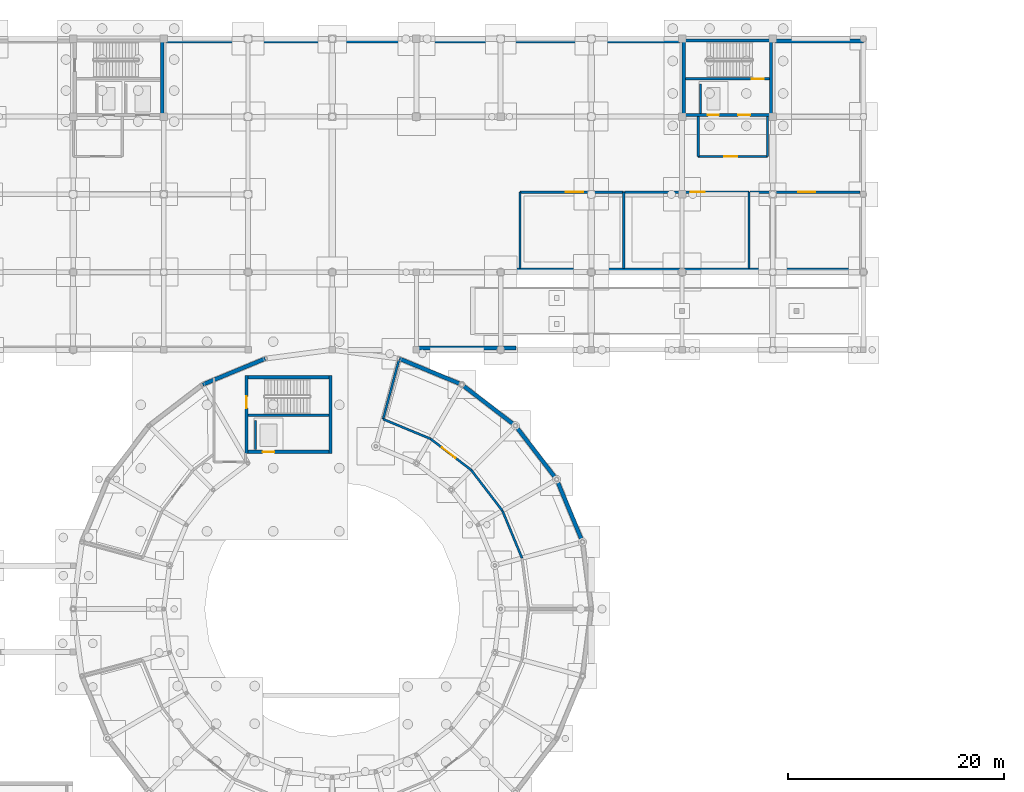
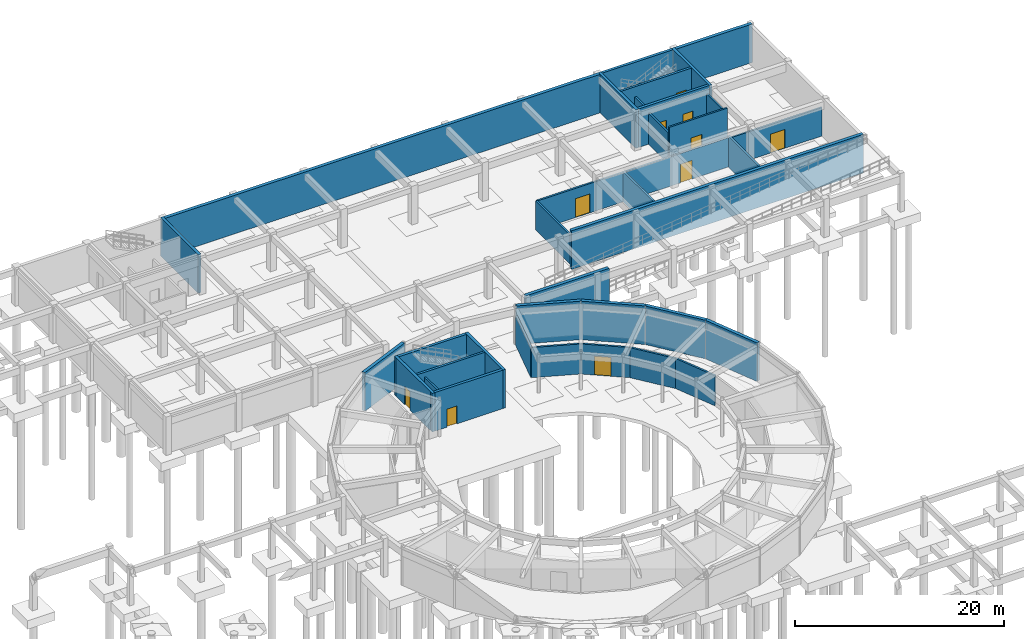
# One storey, part 32 of 43: 36 walls, 10 doors, 10 openings.
"""IFC4 building model written with IfcOpenShell, lengths in metres."""

from ifc_helpers import new_model, si_unit, derived_unit, direction, frame, frame_2d, origin, place, context, subcontext, project, spatial, rectangle, extrude, material, layer, layer_set, type_object, element, fill, save


model = new_model("IFC4")

# Units and contexts
model_context = context("Model", 3, precision=1e-05, world=origin(), true_north=direction((0.0, 1.0)))
body_context = subcontext(model_context, "Body", "Model", "MODEL_VIEW")
ifc_project = project(units=[si_unit("LENGTHUNIT", "METRE"), si_unit("AREAUNIT", "SQUARE_METRE"), si_unit("VOLUMEUNIT", "CUBIC_METRE"), si_unit("PLANEANGLEUNIT", "RADIAN"), si_unit("MASSUNIT", "GRAM", prefix="KILO"), derived_unit("THERMALTRANSMITTANCEUNIT", [(si_unit("POWERUNIT", "WATT"), 1), (si_unit("AREAUNIT", "SQUARE_METRE"), -1), (si_unit("THERMODYNAMICTEMPERATUREUNIT", "KELVIN"), -1)])], contexts=[model_context])

# Site, building, storey
site_placement = place(None, origin())
site = spatial("IfcSite", under=ifc_project, at=site_placement, CompositionType="ELEMENT")
building_placement = place(site_placement, origin())
building = spatial("IfcBuilding", under=site, at=building_placement, Name="Yasenodar Specialist Clinic", CompositionType="ELEMENT")
storey_placement = place(building_placement, frame((0.0, 0.0, -4.5)))
storey = spatial("IfcBuildingStorey", under=building, at=storey_placement, Name="B1", CompositionType="ELEMENT", Elevation=-4.5)

# Wall, opening, door
ifc_material_1 = material(Name="Fire-Rated Gypsum and Mineral-Wool Wall")
ifc_layer_1 = layer(ifc_material_1, 0.195068359375)
ifc_layer_set_1 = layer_set([ifc_layer_1], Name="Fire-Rated Gypsum and Mineral-Wool Wall")
wall_type_1 = type_object("IfcWallType", Name="IW-LOBBY-195", PredefinedType="PARTITIONING", material=ifc_layer_set_1)
wall_1_placement = place(storey_placement, frame((114.89990234375, 100.699951171875, 0.0), z_axis=(0.0, 0.0, 1.0), x_axis=(1.0, 0.0, 0.0)))
wall_1 = element("IfcWall", 1, at=wall_1_placement, inside=storey, type_object=wall_type_1, Name="B1 C5 Firefighting Lobby South Wall", PredefinedType="PARTITIONING", context=body_context, shape_type="SweptSolid", body=[
    extrude(rectangle(XDim=6.400146484375, YDim=0.195068359375, at=frame_2d((3.2001953125, 0.0))), origin(), (0.0, 0.0, 1.0), 4.22998046875),
])
opening_1_placement = place(wall_1_placement, frame((2.39990234375, 0.0, 0.0)))
opening_1 = element("IfcOpeningElement", 2, at=opening_1_placement, cuts=wall_1, Name="Opening FD-02", PredefinedType="OPENING", context=body_context, shape_type="SweptSolid", body=[
    extrude(rectangle(XDim=1.199951171875, YDim=2.14990234375, at=frame_2d((0.60009765625, 1.074951171875))), frame((0.0, 0.107421875, 0.0), z_axis=(0.0, -1.0, 0.0), x_axis=(1.0, 0.0, 0.0)), (0.0, 0.0, 1.0), 0.215087890625),
])
ifc_material_2 = material(Name="Fire-Rated Insulated Steel Door", Category="steel")
door_type_1 = type_object("IfcDoorType", Name="DR-FD-120", OperationType="NOTDEFINED", PredefinedType="DOOR", material=ifc_material_2)
door_1_placement = place(opening_1_placement, origin())
door_1 = element("IfcDoor", 3, at=door_1_placement, inside=storey, type_object=door_type_1, Name="B1 C5 Firefighting Lobby Door", OperationType="SINGLE_SWING_LEFT", OverallHeight=2.14990234375, OverallWidth=1.199951171875, PredefinedType="DOOR", context=body_context, shape_type="SweptSolid", body=[
    extrude(rectangle(XDim=1.199951171875, YDim=2.14990234375, at=frame_2d((0.60009765625, 1.074951171875))), frame((0.0, 0.02490234375, 0.0), z_axis=(0.0, -1.0, 0.0), x_axis=(1.0, 0.0, 0.0)), (0.0, 0.0, 1.0), 0.050048828125),
])
fill(opening_1, door_1)

# Walls
for number, where, z_axis, x_axis, name in (
    (4, (121.300048828125, 100.699951171875, 0.0), (0.0, 0.0, 1.0), (0.0, 1.0, 0.0), "B1 C5 Firefighting Lobby East Wall"),
    (5, (114.89990234375, 100.699951171875, 0.0), (0.0, 0.0, 1.0), (0.0, 1.0, 0.0), "B1 C5 Firefighting Lobby West Wall"),
):
    element("IfcWall", number, at=place(storey_placement, frame(where, z_axis=z_axis, x_axis=x_axis)), inside=storey, type_object=wall_type_1, Name=name, PredefinedType="PARTITIONING", context=body_context, shape_type="SweptSolid", body=[
        extrude(rectangle(XDim=3.699951171875, YDim=0.195068359375, at=frame_2d((1.85009765625, 0.0))), origin(), (0.0, 0.0, 1.0), 3.613037109375),
    ])
ifc_material_3 = material(Name="Aerated Concrete Blockwork Fire Shaft Wall", Category="masonry")
ifc_layer_2 = layer(ifc_material_3, 0.205078125)
ifc_layer_set_2 = layer_set([ifc_layer_2], Name="Aerated Concrete Blockwork Fire Shaft Wall")
wall_type_2 = type_object("IfcWallType", Name="IW-SHAFT-205", PredefinedType="PARTITIONING", material=ifc_layer_set_2)
wall_2_placement = place(storey_placement, frame((73.89990234375, 73.550048828125, 0.0), z_axis=(0.0, 0.0, 1.0), x_axis=(0.0, 1.0, 0.0)))
element("IfcWall", 6, at=wall_2_placement, inside=storey, type_object=wall_type_2, Name="B1 LF-06 Lift Shaft Side Wall", PredefinedType="PARTITIONING", context=body_context, shape_type="SweptSolid", body=[
    extrude(rectangle(XDim=2.699951171875, YDim=0.205078125, at=frame_2d((1.35009765625, 0.0))), origin(), (0.0, 0.0, 1.0), 4.22998046875),
])
wall_3_placement = place(storey_placement, frame((115.10009765625, 104.699951171875, 0.0), z_axis=(0.0, 0.0, 1.0), x_axis=(0.0, 1.0, 0.0)))
element("IfcWall", 7, at=wall_3_placement, inside=storey, type_object=wall_type_2, Name="B1 LF-08 Lift Shaft Side Wall", PredefinedType="PARTITIONING", context=body_context, shape_type="SweptSolid", body=[
    extrude(rectangle(XDim=2.699951171875, YDim=0.205078125, at=frame_2d((1.35009765625, 0.0))), origin(), (0.0, 0.0, 1.0), 3.613037109375),
])

# Wall, opening, door
wall_4_placement = place(storey_placement, frame((98.39990234375, 97.39990234375, 0.0), z_axis=(0.0, 0.0, 1.0), x_axis=(1.0, 0.0, 0.0)))
wall_4 = element("IfcWall", 8, at=wall_4_placement, inside=storey, type_object=wall_type_2, Name="B1 Standby Power Room Partition", PredefinedType="PARTITIONING", context=body_context, shape_type="SweptSolid", body=[
    extrude(rectangle(XDim=9.60009765625, YDim=0.205078125, at=frame_2d((4.800048828125, 0.0))), origin(), (0.0, 0.0, 1.0), 3.4130859375),
])
opening_2_placement = place(wall_4_placement, frame((4.25, 0.0, 0.0)))
opening_2 = element("IfcOpeningElement", 9, at=opening_2_placement, cuts=wall_4, Name="Opening FD-04", PredefinedType="OPENING", context=body_context, shape_type="SweptSolid", body=[
    extrude(rectangle(XDim=1.60009765625, YDim=2.199951171875, at=frame_2d((0.800048828125, 1.10009765625))), frame((0.0, 0.112548828125, 0.0), z_axis=(0.0, -1.0, 0.0), x_axis=(1.0, 0.0, 0.0)), (0.0, 0.0, 1.0), 0.22509765625),
])
door_type_2 = type_object("IfcDoorType", Name="DR-FD-160", OperationType="DOUBLE_DOOR_SINGLE_SWING", PredefinedType="DOOR", material=ifc_material_2)
door_2_placement = place(opening_2_placement, origin())
door_2 = element("IfcDoor", 10, at=door_2_placement, inside=storey, type_object=door_type_2, Name="B1 Standby Power Room Door", OperationType="DOUBLE_DOOR_SINGLE_SWING", OverallHeight=2.199951171875, OverallWidth=1.60009765625, PredefinedType="DOOR", context=body_context, shape_type="SweptSolid", body=[
    extrude(rectangle(XDim=1.60009765625, YDim=2.199951171875, at=frame_2d((0.800048828125, 1.10009765625))), frame((0.0, 0.02490234375, 0.0), z_axis=(0.0, -1.0, 0.0), x_axis=(1.0, 0.0, 0.0)), (0.0, 0.0, 1.0), 0.050048828125),
])
fill(opening_2, door_2)

# Walls
wall_5_placement = place(storey_placement, frame((108.0, 97.39990234375, 0.0), z_axis=(0.0, 0.0, 1.0), x_axis=(0.0, -1.0, 0.0)))
element("IfcWall", 11, at=wall_5_placement, inside=storey, type_object=wall_type_2, Name="B1 Standby Power Room Partition", PredefinedType="PARTITIONING", context=body_context, shape_type="SweptSolid", body=[
    extrude(rectangle(XDim=7.059814453125, YDim=0.205078125, at=frame_2d((3.52978515625, 0.0))), origin(), (0.0, 0.0, 1.0), 3.512939453125),
])
wall_6_placement = place(storey_placement, frame((98.39990234375, 90.340087890625, 0.0), z_axis=(0.0, 0.0, 1.0), x_axis=(0.0, 1.0, 0.0)))
element("IfcWall", 12, at=wall_6_placement, inside=storey, type_object=wall_type_2, Name="B1 Standby Power Room Partition", PredefinedType="PARTITIONING", context=body_context, shape_type="SweptSolid", body=[
    extrude(rectangle(XDim=7.059814453125, YDim=0.205078125, at=frame_2d((3.52978515625, 0.0))), origin(), (0.0, 0.0, 1.0), 3.4130859375),
])

# Wall, opening, door
wall_7_placement = place(storey_placement, frame((108.08251953125, 97.39990234375, 0.0), z_axis=(0.0, 0.0, 1.0), x_axis=(1.0, 0.0, 0.0)))
wall_7 = element("IfcWall", 13, at=wall_7_placement, inside=storey, type_object=wall_type_2, Name="B1 Primary Electrical Switchgear Room Partition", PredefinedType="PARTITIONING", context=body_context, shape_type="SweptSolid", body=[
    extrude(rectangle(XDim=11.517578125, YDim=0.205078125, at=frame_2d((5.7587890625, 0.0))), origin(), (0.0, 0.0, 1.0), 3.4130859375),
])
opening_3_placement = place(wall_7_placement, frame((6.117431640625, 0.0, 0.0)))
opening_3 = element("IfcOpeningElement", 14, at=opening_3_placement, cuts=wall_7, Name="Opening FD-03", PredefinedType="OPENING", context=body_context, shape_type="SweptSolid", body=[
    extrude(rectangle(XDim=1.320068359375, YDim=2.179931640625, at=frame_2d((0.66015625, 1.08984375))), frame((0.0, 0.112548828125, 0.0), z_axis=(0.0, -1.0, 0.0), x_axis=(1.0, 0.0, 0.0)), (0.0, 0.0, 1.0), 0.22509765625),
])
door_type_3 = type_object("IfcDoorType", Name="DR-FD-132", OperationType="NOTDEFINED", PredefinedType="DOOR", material=ifc_material_2)
door_3_placement = place(opening_3_placement, origin())
door_3 = element("IfcDoor", 15, at=door_3_placement, inside=storey, type_object=door_type_3, Name="B1 Primary Electrical Switchgear Room Door", OperationType="SINGLE_SWING_LEFT", OverallHeight=2.179931640625, OverallWidth=1.320068359375, PredefinedType="DOOR", context=body_context, shape_type="SweptSolid", body=[
    extrude(rectangle(XDim=1.320068359375, YDim=2.179931640625, at=frame_2d((0.66015625, 1.08984375))), frame((0.0, 0.02490234375, 0.0), z_axis=(0.0, -1.0, 0.0), x_axis=(1.0, 0.0, 0.0)), (0.0, 0.0, 1.0), 0.050048828125),
])
fill(opening_3, door_3)

# Wall
wall_8_placement = place(storey_placement, frame((119.60009765625, 97.39990234375, 0.0), z_axis=(0.0, 0.0, 1.0), x_axis=(0.0, -1.0, 0.0)))
element("IfcWall", 16, at=wall_8_placement, inside=storey, type_object=wall_type_2, Name="B1 Primary Electrical Switchgear Room Partition", PredefinedType="PARTITIONING", context=body_context, shape_type="SweptSolid", body=[
    extrude(rectangle(XDim=7.059814453125, YDim=0.205078125, at=frame_2d((3.52978515625, 0.0))), origin(), (0.0, 0.0, 1.0), 3.613037109375),
])

# Wall, opening, door
wall_9_placement = place(storey_placement, frame((119.6826171875, 97.39990234375, 0.0), z_axis=(0.0, 0.0, 1.0), x_axis=(1.0, 0.0, 0.0)))
wall_9 = element("IfcWall", 17, at=wall_9_placement, inside=storey, type_object=wall_type_2, Name="B1 Water Mist and Sprinkler Pump Room Partition", PredefinedType="PARTITIONING", context=body_context, shape_type="SweptSolid", body=[
    extrude(rectangle(XDim=10.177490234375, YDim=0.205078125, at=frame_2d((5.0888671875, 0.0))), origin(), (0.0, 0.0, 1.0), 3.31298828125),
])
opening_4_placement = place(wall_9_placement, frame((4.467529296875, 0.0, 0.0)))
opening_4 = element("IfcOpeningElement", 18, at=opening_4_placement, cuts=wall_9, Name="Opening FD-04", PredefinedType="OPENING", context=body_context, shape_type="SweptSolid", body=[
    extrude(rectangle(XDim=1.60009765625, YDim=2.199951171875, at=frame_2d((0.800048828125, 1.10009765625))), frame((0.0, 0.112548828125, 0.0), z_axis=(0.0, -1.0, 0.0), x_axis=(1.0, 0.0, 0.0)), (0.0, 0.0, 1.0), 0.22509765625),
])
door_4_placement = place(opening_4_placement, origin())
door_4 = element("IfcDoor", 19, at=door_4_placement, inside=storey, type_object=door_type_2, Name="B1 Water Mist and Sprinkler Pump Room Door", OperationType="DOUBLE_DOOR_SINGLE_SWING", OverallHeight=2.199951171875, OverallWidth=1.60009765625, PredefinedType="DOOR", context=body_context, shape_type="SweptSolid", body=[
    extrude(rectangle(XDim=1.60009765625, YDim=2.199951171875, at=frame_2d((0.800048828125, 1.10009765625))), frame((0.0, 0.02490234375, 0.0), z_axis=(0.0, -1.0, 0.0), x_axis=(1.0, 0.0, 0.0)), (0.0, 0.0, 1.0), 0.050048828125),
])
fill(opening_4, door_4)

wall_10_placement = place(storey_placement, frame((93.869384765625, 71.669189453125, 0.0), z_axis=(0.0, 0.0, 1.0), x_axis=(-0.793322600477, 0.60880148782, 0.0)))
wall_10 = element("IfcWall", 20, at=wall_10_placement, inside=storey, type_object=wall_type_2, Name="B1 Central Sterile Supply Decontamination Partition", PredefinedType="PARTITIONING", context=body_context, shape_type="SweptSolid", body=[
    extrude(rectangle(XDim=4.751220703125, YDim=0.205078125, at=frame_2d((2.37548828125, 0.0))), origin(), (0.0, 0.0, 1.0), 3.512939453125),
])
opening_5_placement = place(wall_10_placement, frame((1.82568359375, 0.0, 0.0)))
opening_5 = element("IfcOpeningElement", 21, at=opening_5_placement, cuts=wall_10, Name="Opening FD-04", PredefinedType="OPENING", context=body_context, shape_type="SweptSolid", body=[
    extrude(rectangle(XDim=1.60009765625, YDim=2.199951171875, at=frame_2d((0.800048828125, 1.10009765625))), frame((0.0, 0.112548828125, 0.0), z_axis=(0.0, -1.0, 0.0), x_axis=(1.0, 0.0, 0.0)), (0.0, 0.0, 1.0), 0.22509765625),
])
door_5_placement = place(opening_5_placement, origin())
door_5 = element("IfcDoor", 22, at=door_5_placement, inside=storey, type_object=door_type_2, Name="B1 Central Sterile Supply Decontamination Door", OperationType="DOUBLE_DOOR_SINGLE_SWING", OverallHeight=2.199951171875, OverallWidth=1.60009765625, PredefinedType="DOOR", context=body_context, shape_type="SweptSolid", body=[
    extrude(rectangle(XDim=1.60009765625, YDim=2.199951171875, at=frame_2d((0.800048828125, 1.10009765625))), frame((0.0, 0.02490234375, 0.0), z_axis=(0.0, -1.0, 0.0), x_axis=(1.0, 0.0, 0.0)), (0.0, 0.0, 1.0), 0.050048828125),
])
fill(opening_5, door_5)

# Walls
for number, where, z_axis, x_axis, name in (
    (23, (96.76171875, 67.89990234375, 0.0), (0.0, 0.0, 1.0), (-0.608769147025, 0.793347417989, 0.0), "B1 Central Sterile Supply Decontamination Partition"),
    (24, (90.10009765625, 74.561767578125, 0.0), (0.0, 0.0, 1.0), (-0.923889703059, 0.382658877568, 0.0), "B1 Central Sterile Supply Decontamination Partition"),
):
    element("IfcWall", number, at=place(storey_placement, frame(where, z_axis=z_axis, x_axis=x_axis)), inside=storey, type_object=wall_type_2, Name=name, PredefinedType="PARTITIONING", context=body_context, shape_type="SweptSolid", body=[
        extrude(rectangle(XDim=4.751220703125, YDim=0.205078125, at=frame_2d((2.37548828125, 0.0))), origin(), (0.0, 0.0, 1.0), 3.512939453125),
    ])
wall_11_placement = place(storey_placement, frame((98.579833984375, 63.510498046875, 0.0), z_axis=(0.0, 0.0, 1.0), x_axis=(-0.382677044484, 0.923882178432, 0.0)))
element("IfcWall", 25, at=wall_11_placement, inside=storey, type_object=wall_type_2, Name="B1 Central Sterile Supply Decontamination Partition", PredefinedType="PARTITIONING", context=body_context, shape_type="SweptSolid", body=[
    extrude(rectangle(XDim=4.7509765625, YDim=0.205078125, at=frame_2d((2.37548828125, 0.0))), origin(), (0.0, 0.0, 1.0), 3.512939453125),
])
wall_12_placement = place(storey_placement, frame((85.71044921875, 76.3798828125, 0.0), z_axis=(0.0, 0.0, 1.0), x_axis=(0.258842856658, 0.965919445688, 0.0)))
element("IfcWall", 26, at=wall_12_placement, inside=storey, type_object=wall_type_2, Name="B1 Central Sterile Supply Decontamination Partition", PredefinedType="PARTITIONING", context=body_context, shape_type="SweptSolid", body=[
    extrude(rectangle(XDim=5.638427734375, YDim=0.205078125, at=frame_2d((2.8193359375, 0.0))), origin(), (0.0, 0.0, 1.0), 3.4130859375),
])
ifc_material_4 = material(Name="Concrete C35/45", Category="concrete")
ifc_layer_3 = layer(ifc_material_4, 0.25)
ifc_layer_set_3 = layer_set([ifc_layer_3], Name="Concrete C35/45")
wall_type_3 = type_object("IfcWallType", Name="WL-CORE-250", PredefinedType="SHEAR", material=ifc_layer_set_3)
wall_13_placement = place(storey_placement, frame((73.199951171875, 76.75, 0.0), z_axis=(0.0, 0.0, 1.0), x_axis=(1.0, 0.0, 0.0)))
element("IfcWall", 27, at=wall_13_placement, inside=storey, type_object=wall_type_3, Name="B1 Core C3 Central Spine Wall", PredefinedType="SHEAR", context=body_context, shape_type="SweptSolid", body=[
    extrude(rectangle(XDim=7.5, YDim=0.25, at=frame_2d((3.75, 0.0))), origin(), (0.0, 0.0, 1.0), 4.5),
])

# Wall, opening, door
wall_14_placement = place(storey_placement, frame((113.699951171875, 107.89990234375, 0.0), z_axis=(0.0, 0.0, 1.0), x_axis=(1.0, 0.0, 0.0)))
wall_14 = element("IfcWall", 28, at=wall_14_placement, inside=storey, type_object=wall_type_3, Name="B1 Core C5 Central Spine Wall", PredefinedType="SHEAR", context=body_context, shape_type="SweptSolid", body=[
    extrude(rectangle(XDim=7.800048828125, YDim=0.25, at=frame_2d((3.89990234375, 0.0))), origin(), (0.0, 0.0, 1.0), 4.5),
])
opening_6_placement = place(wall_14_placement, frame((6.14990234375, 0.0, 0.0)))
opening_6 = element("IfcOpeningElement", 29, at=opening_6_placement, cuts=wall_14, Name="Opening FD-01", PredefinedType="OPENING", context=body_context, shape_type="SweptSolid", body=[
    extrude(rectangle(XDim=1.10009765625, YDim=2.14990234375, at=frame_2d((0.550048828125, 1.074951171875))), frame((0.0, 0.135009765625, 0.0), z_axis=(0.0, -1.0, 0.0), x_axis=(1.0, 0.0, 0.0)), (0.0, 0.0, 1.0), 0.27001953125),
])
door_type_4 = type_object("IfcDoorType", Name="DR-FD-110", OperationType="NOTDEFINED", PredefinedType="DOOR", material=ifc_material_2)
door_6_placement = place(opening_6_placement, origin())
door_6 = element("IfcDoor", 30, at=door_6_placement, inside=storey, type_object=door_type_4, Name="B1 ST-05 Protected Stair Door", OperationType="SINGLE_SWING_LEFT", OverallHeight=2.14990234375, OverallWidth=1.10009765625, PredefinedType="DOOR", context=body_context, shape_type="SweptSolid", body=[
    extrude(rectangle(XDim=1.10009765625, YDim=2.14990234375, at=frame_2d((0.550048828125, 1.074951171875))), frame((0.0, 0.02490234375, 0.0), z_axis=(0.0, -1.0, 0.0), x_axis=(1.0, 0.0, 0.0)), (0.0, 0.0, 1.0), 0.050048828125),
])
fill(opening_6, door_6)

# Wall
ifc_layer_4 = layer(ifc_material_4, 0.300048828125)
ifc_layer_set_4 = layer_set([ifc_layer_4], Name="Concrete C35/45")
wall_type_4 = type_object("IfcWallType", Name="WL-CORE-300", PredefinedType="SHEAR", material=ifc_layer_set_4)
wall_15_placement = place(storey_placement, frame((72.89990234375, 80.25, 0.0), z_axis=(0.0, 0.0, 1.0), x_axis=(1.0, 0.0, 0.0)))
element("IfcWall", 31, at=wall_15_placement, inside=storey, type_object=wall_type_4, Name="B1 Core C3 North Shear Wall", PredefinedType="SHEAR", context=body_context, shape_type="SweptSolid", body=[
    extrude(rectangle(XDim=8.10009765625, YDim=0.300048828125, at=frame_2d((4.050048828125, 0.0))), origin(), (0.0, 0.0, 1.0), 4.5),
])

# Wall, opening, door
wall_16_placement = place(storey_placement, frame((72.89990234375, 73.35009765625, 0.0), z_axis=(0.0, 0.0, 1.0), x_axis=(1.0, 0.0, 0.0)))
wall_16 = element("IfcWall", 32, at=wall_16_placement, inside=storey, type_object=wall_type_4, Name="B1 Core C3 South Shear Wall", PredefinedType="SHEAR", context=body_context, shape_type="SweptSolid", body=[
    extrude(rectangle(XDim=8.10009765625, YDim=0.300048828125, at=frame_2d((4.050048828125, 0.0))), origin(), (0.0, 0.0, 1.0), 4.5),
])
opening_7_placement = place(wall_16_placement, frame((1.64990234375, 0.0, 0.0)))
opening_7 = element("IfcOpeningElement", 33, at=opening_7_placement, cuts=wall_16, Name="Opening LD-03", PredefinedType="OPENING", context=body_context, shape_type="SweptSolid", body=[
    extrude(rectangle(XDim=1.10009765625, YDim=2.10009765625, at=frame_2d((0.550048828125, 1.050048828125))), frame((0.0, 0.16015625, 0.0), z_axis=(0.0, -1.0, 0.0), x_axis=(1.0, 0.0, 0.0)), (0.0, 0.0, 1.0), 0.320068359375),
])
door_type_5 = type_object("IfcDoorType", Name="DR-LD-110", OperationType="DOUBLE_DOOR_SLIDING", PredefinedType="DOOR", material=ifc_material_2)
door_7_placement = place(opening_7_placement, origin())
door_7 = element("IfcDoor", 34, at=door_7_placement, inside=storey, type_object=door_type_5, Name="B1 LF-06 Lift Landing Door", OperationType="DOUBLE_DOOR_SLIDING", OverallHeight=2.10009765625, OverallWidth=1.10009765625, PredefinedType="DOOR", context=body_context, shape_type="SweptSolid", body=[
    extrude(rectangle(XDim=1.10009765625, YDim=2.10009765625, at=frame_2d((0.550048828125, 1.050048828125))), frame((0.0, 0.02490234375, 0.0), z_axis=(0.0, -1.0, 0.0), x_axis=(1.0, 0.0, 0.0)), (0.0, 0.0, 1.0), 0.050048828125),
])
fill(opening_7, door_7)

wall_17_placement = place(storey_placement, frame((73.050048828125, 73.199951171875, 0.0), z_axis=(0.0, 0.0, 1.0), x_axis=(0.0, 1.0, 0.0)))
wall_17 = element("IfcWall", 35, at=wall_17_placement, inside=storey, type_object=wall_type_4, Name="B1 Core C3 West Shear Wall", PredefinedType="SHEAR", context=body_context, shape_type="SweptSolid", body=[
    extrude(rectangle(XDim=7.199951171875, YDim=0.300048828125, at=frame_2d((3.60009765625, 0.0))), origin(), (0.0, 0.0, 1.0), 4.5),
])
opening_8_placement = place(wall_17_placement, frame((4.199951171875, 0.0, 0.0)))
opening_8 = element("IfcOpeningElement", 36, at=opening_8_placement, cuts=wall_17, Name="Opening FD-01", PredefinedType="OPENING", context=body_context, shape_type="SweptSolid", body=[
    extrude(rectangle(XDim=1.10009765625, YDim=2.14990234375, at=frame_2d((0.550048828125, 1.074951171875))), frame((0.0, 0.16015625, 0.0), z_axis=(0.0, -1.0, 0.0), x_axis=(1.0, 0.0, 0.0)), (0.0, 0.0, 1.0), 0.320068359375),
])
door_8_placement = place(opening_8_placement, origin())
door_8 = element("IfcDoor", 37, at=door_8_placement, inside=storey, type_object=door_type_4, Name="B1 ST-03 Protected Stair Door", OperationType="SINGLE_SWING_RIGHT", OverallHeight=2.14990234375, OverallWidth=1.10009765625, PredefinedType="DOOR", context=body_context, shape_type="SweptSolid", body=[
    extrude(rectangle(XDim=1.10009765625, YDim=2.14990234375, at=frame_2d((0.550048828125, 1.074951171875))), frame((0.0, 0.02490234375, 0.0), z_axis=(0.0, -1.0, 0.0), x_axis=(1.0, 0.0, 0.0)), (0.0, 0.0, 1.0), 0.050048828125),
])
fill(opening_8, door_8)

# Walls
wall_18_placement = place(storey_placement, frame((80.85009765625, 73.199951171875, 0.0), z_axis=(0.0, 0.0, 1.0), x_axis=(0.0, 1.0, 0.0)))
element("IfcWall", 38, at=wall_18_placement, inside=storey, type_object=wall_type_4, Name="B1 Core C3 East Shear Wall", PredefinedType="SHEAR", context=body_context, shape_type="SweptSolid", body=[
    extrude(rectangle(XDim=7.199951171875, YDim=0.300048828125, at=frame_2d((3.60009765625, 0.0))), origin(), (0.0, 0.0, 1.0), 4.5),
])
wall_19_placement = place(storey_placement, frame((65.25, 104.39990234375, 0.0), z_axis=(0.0, 0.0, 1.0), x_axis=(0.0, 1.0, 0.0)))
element("IfcWall", 39, at=wall_19_placement, inside=storey, type_object=wall_type_4, Name="B1 Core C4 East Shear Wall", PredefinedType="SHEAR", context=body_context, shape_type="SweptSolid", body=[
    extrude(rectangle(XDim=7.2001953125, YDim=0.300048828125, at=frame_2d((3.60009765625, 0.0))), origin(), (0.0, 0.0, 1.0), 4.5),
])
wall_20_placement = place(storey_placement, frame((113.39990234375, 111.449951171875, 0.0), z_axis=(0.0, 0.0, 1.0), x_axis=(1.0, 0.0, 0.0)))
element("IfcWall", 40, at=wall_20_placement, inside=storey, type_object=wall_type_4, Name="B1 Core C5 North Shear Wall", PredefinedType="SHEAR", context=body_context, shape_type="SweptSolid", body=[
    extrude(rectangle(XDim=8.400146484375, YDim=0.300048828125, at=frame_2d((4.2001953125, 0.0))), origin(), (0.0, 0.0, 1.0), 4.5),
])

# Wall, openings, doors
wall_21_placement = place(storey_placement, frame((113.39990234375, 104.550048828125, 0.0), z_axis=(0.0, 0.0, 1.0), x_axis=(1.0, 0.0, 0.0)))
wall_21 = element("IfcWall", 41, at=wall_21_placement, inside=storey, type_object=wall_type_4, Name="B1 Core C5 South Shear Wall", PredefinedType="SHEAR", context=body_context, shape_type="SweptSolid", body=[
    extrude(rectangle(XDim=8.400146484375, YDim=0.300048828125, at=frame_2d((4.2001953125, 0.0))), origin(), (0.0, 0.0, 1.0), 4.5),
])
opening_9_placement = place(wall_21_placement, frame((5.199951171875, 0.0, 0.0)))
opening_9 = element("IfcOpeningElement", 42, at=opening_9_placement, cuts=wall_21, Name="Opening FD-01", PredefinedType="OPENING", context=body_context, shape_type="SweptSolid", body=[
    extrude(rectangle(XDim=1.10009765625, YDim=2.14990234375, at=frame_2d((0.550048828125, 1.074951171875))), frame((0.0, 0.16015625, 0.0), z_axis=(0.0, -1.0, 0.0), x_axis=(1.0, 0.0, 0.0)), (0.0, 0.0, 1.0), 0.320068359375),
])
opening_10_placement = place(wall_21_placement, frame((2.39990234375, 0.0, 0.0)))
opening_10 = element("IfcOpeningElement", 43, at=opening_10_placement, cuts=wall_21, Name="Opening LD-01", PredefinedType="OPENING", context=body_context, shape_type="SweptSolid", body=[
    extrude(rectangle(XDim=1.0, YDim=2.10009765625, at=frame_2d((0.5, 1.050048828125))), frame((0.0, 0.16015625, 0.0), z_axis=(0.0, -1.0, 0.0), x_axis=(1.0, 0.0, 0.0)), (0.0, 0.0, 1.0), 0.320068359375),
])
door_9_placement = place(opening_9_placement, origin())
door_9 = element("IfcDoor", 44, at=door_9_placement, inside=storey, type_object=door_type_4, Name="B1 Stair ST-05 Vestibule Door", OperationType="SINGLE_SWING_RIGHT", OverallHeight=2.14990234375, OverallWidth=1.10009765625, PredefinedType="DOOR", context=body_context, shape_type="SweptSolid", body=[
    extrude(rectangle(XDim=1.10009765625, YDim=2.14990234375, at=frame_2d((0.550048828125, 1.074951171875))), frame((0.0, 0.02490234375, 0.0), z_axis=(0.0, -1.0, 0.0), x_axis=(1.0, 0.0, 0.0)), (0.0, 0.0, 1.0), 0.050048828125),
])
fill(opening_9, door_9)
door_type_6 = type_object("IfcDoorType", Name="DR-LD-100", OperationType="DOUBLE_DOOR_SLIDING", PredefinedType="DOOR", material=ifc_material_2)
door_10_placement = place(opening_10_placement, origin())
door_10 = element("IfcDoor", 45, at=door_10_placement, inside=storey, type_object=door_type_6, Name="B1 LF-08 Lift Landing Door", OperationType="DOUBLE_DOOR_SLIDING", OverallHeight=2.10009765625, OverallWidth=1.0, PredefinedType="DOOR", context=body_context, shape_type="SweptSolid", body=[
    extrude(rectangle(XDim=1.0, YDim=2.10009765625, at=frame_2d((0.5, 1.050048828125))), frame((0.0, 0.02490234375, 0.0), z_axis=(0.0, -1.0, 0.0), x_axis=(1.0, 0.0, 0.0)), (0.0, 0.0, 1.0), 0.050048828125),
])
fill(opening_10, door_10)

# Walls
for number, where, z_axis, x_axis, name in (
    (46, (113.550048828125, 104.39990234375, 0.0), (0.0, 0.0, 1.0), (0.0, 1.0, 0.0), "B1 Core C5 West Shear Wall"),
    (47, (121.64990234375, 111.60009765625, 0.0), (0.0, 0.0, 1.0), (0.0, -1.0, 0.0), "B1 Core C5 East Shear Wall"),
):
    element("IfcWall", number, at=place(storey_placement, frame(where, z_axis=z_axis, x_axis=x_axis)), inside=storey, type_object=wall_type_4, Name=name, PredefinedType="SHEAR", context=body_context, shape_type="SweptSolid", body=[
        extrude(rectangle(XDim=7.2001953125, YDim=0.300048828125, at=frame_2d((3.60009765625, 0.0))), origin(), (0.0, 0.0, 1.0), 4.5),
    ])
ifc_layer_5 = layer(ifc_material_4, 0.360107421875)
ifc_layer_set_5 = layer_set([ifc_layer_5], Name="Concrete C35/45")
wall_type_5 = type_object("IfcWallType", Name="WL-RET-360", PredefinedType="USERDEFINED", material=ifc_layer_set_5)
wall_22_placement = place(storey_placement, frame((88.800048828125, 82.97998046875, 0.0), z_axis=(0.0, 0.0, 1.0), x_axis=(1.0, 0.0, 0.0)))
element("IfcWall", 48, at=wall_22_placement, inside=storey, type_object=wall_type_5, Name="B1 Retaining Wall 10", ObjectType="RETAININGWALL", PredefinedType="USERDEFINED", context=body_context, shape_type="SweptSolid", body=[
    extrude(rectangle(XDim=9.199951171875, YDim=0.360107421875, at=frame_2d((4.60009765625, 0.0))), origin(), (0.0, 0.0, 1.0), 4.5),
])
wall_23_placement = place(storey_placement, frame((98.0, 90.179931640625, 0.0), z_axis=(0.0, 0.0, 1.0), x_axis=(1.0, 0.0, 0.0)))
element("IfcWall", 49, at=wall_23_placement, inside=storey, type_object=wall_type_5, Name="B1 Retaining Wall 11", ObjectType="RETAININGWALL", PredefinedType="USERDEFINED", context=body_context, shape_type="SweptSolid", body=[
    extrude(rectangle(XDim=32.199951171875, YDim=0.360107421875, at=frame_2d((16.10009765625, 0.0))), origin(), (0.0, 0.0, 1.0), 4.5),
])
wall_24_placement = place(storey_placement, frame((65.39990234375, 111.419921875, 0.0), z_axis=(0.0, 0.0, 1.0), x_axis=(1.0, 0.0, 0.0)))
element("IfcWall", 50, at=wall_24_placement, inside=storey, type_object=wall_type_5, Name="B1 Retaining Wall 14", ObjectType="RETAININGWALL", PredefinedType="USERDEFINED", context=body_context, shape_type="SweptSolid", body=[
    extrude(rectangle(XDim=48.0, YDim=0.360107421875, at=frame_2d((24.0, 0.0))), origin(), (0.0, 0.0, 1.0), 4.5),
])
wall_25_placement = place(storey_placement, frame((121.800048828125, 111.419921875, 0.0), z_axis=(0.0, 0.0, 1.0), x_axis=(1.0, 0.0, 0.0)))
element("IfcWall", 51, at=wall_25_placement, inside=storey, type_object=wall_type_5, Name="B1 Retaining Wall 15", ObjectType="RETAININGWALL", PredefinedType="USERDEFINED", context=body_context, shape_type="SweptSolid", body=[
    extrude(rectangle(XDim=8.39990234375, YDim=0.360107421875, at=frame_2d((4.199951171875, 0.0))), origin(), (0.0, 0.0, 1.0), 4.5),
])
for number, where, z_axis, x_axis, name in (
    (52, (104.18212890625, 65.01171875, 0.0), (0.0, 0.0, 1.0), (-0.382663829839, 0.9238876519, 0.0), "B1 Drum V1 Retaining Chord 02"),
    (53, (101.78466796875, 70.800048828125, 0.0), (0.0, 0.0, 1.0), (-0.608761180103, 0.793353531283, 0.0), "B1 Drum V1 Retaining Chord 03"),
):
    element("IfcWall", number, at=place(storey_placement, frame(where, z_axis=z_axis, x_axis=x_axis)), inside=storey, type_object=wall_type_5, Name=name, ObjectType="RETAININGWALL", PredefinedType="USERDEFINED", context=body_context, shape_type="SweptSolid", body=[
        extrude(rectangle(XDim=6.26513671875, YDim=0.360107421875, at=frame_2d((3.132568359375, 0.0))), origin(), (0.0, 0.0, 1.0), 4.5),
    ])
wall_26_placement = place(storey_placement, frame((97.970703125, 75.7705078125, 0.0), z_axis=(0.0, 0.0, 1.0), x_axis=(-0.793349152542, 0.608766886551, 0.0)))
element("IfcWall", 54, at=wall_26_placement, inside=storey, type_object=wall_type_5, Name="B1 Drum V1 Retaining Chord 04", ObjectType="RETAININGWALL", PredefinedType="USERDEFINED", context=body_context, shape_type="SweptSolid", body=[
    extrude(rectangle(XDim=6.265380859375, YDim=0.360107421875, at=frame_2d((3.1328125, 0.0))), origin(), (0.0, 0.0, 1.0), 4.5),
])
for number, where, z_axis, x_axis, name in (
    (55, (93.0, 79.584716796875, 0.0), (0.0, 0.0, 1.0), (-0.9238876519, 0.382663829839, 0.0), "B1 Drum V1 Retaining Chord 05"),
    (56, (74.788330078125, 81.982177734375, 0.0), (0.0, 0.0, 1.0), (-0.9238876519, -0.382663829839, 0.0), "B1 Drum V1 Retaining Chord 08"),
):
    element("IfcWall", number, at=place(storey_placement, frame(where, z_axis=z_axis, x_axis=x_axis)), inside=storey, type_object=wall_type_5, Name=name, ObjectType="RETAININGWALL", PredefinedType="USERDEFINED", context=body_context, shape_type="SweptSolid", body=[
        extrude(rectangle(XDim=6.26513671875, YDim=0.360107421875, at=frame_2d((3.132568359375, 0.0))), origin(), (0.0, 0.0, 1.0), 4.5),
    ])

save(model, "model.ifc")
